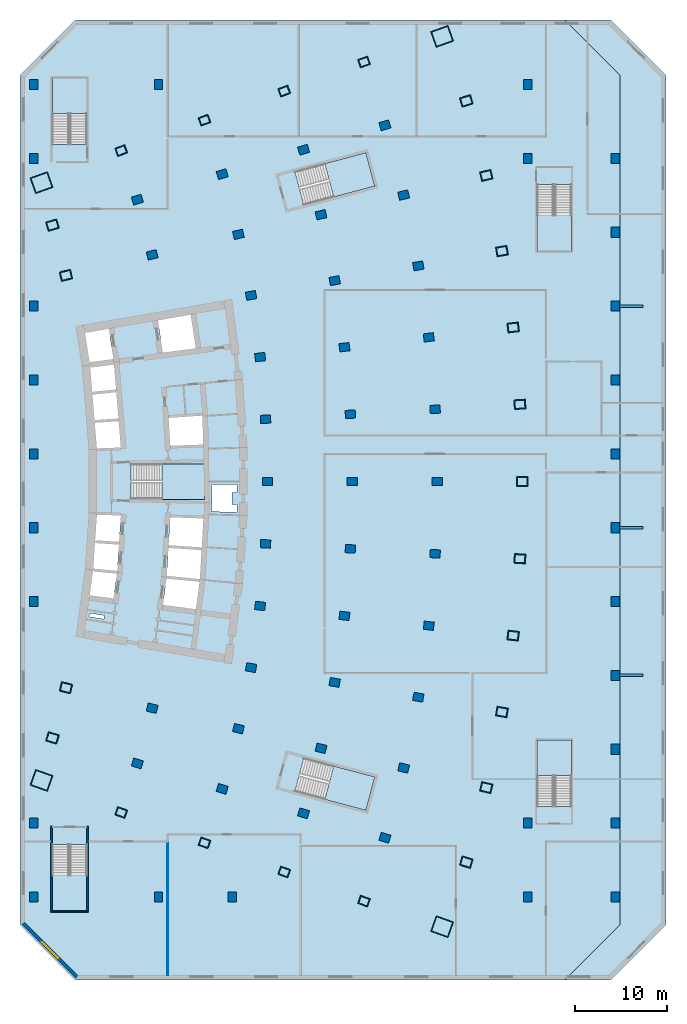
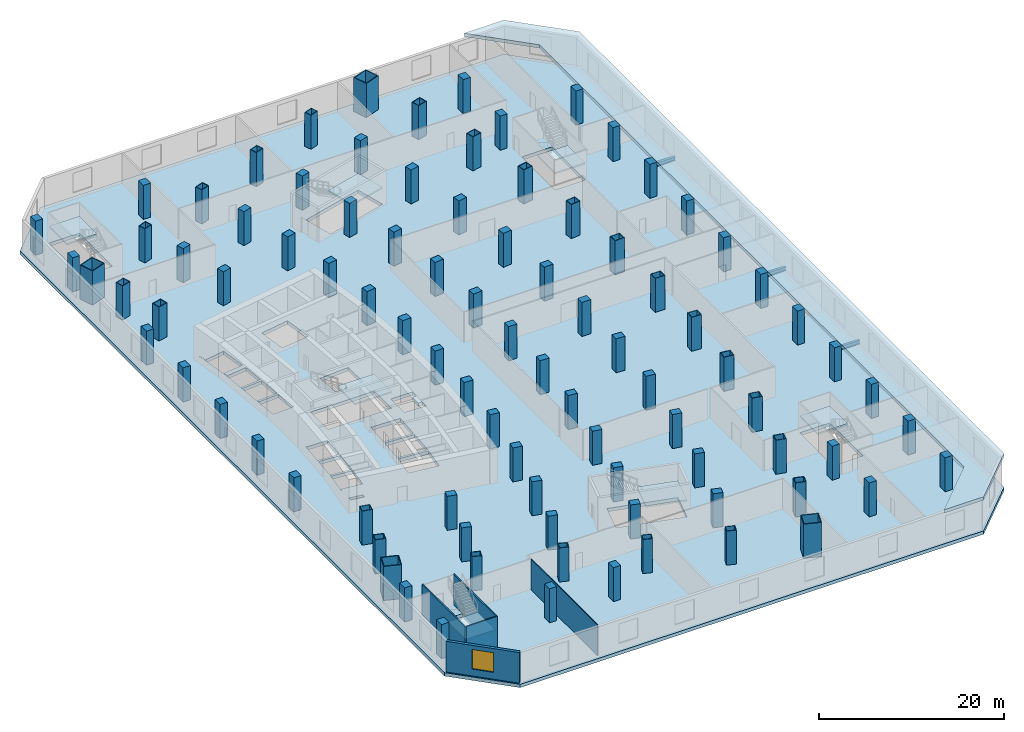
# One storey, part 1 of 16: 91 columns, 9 slabs, 5 walls, 3 beams, 1 window, 1 opening, 7 elements without a shape of their own.
"""IFC4 building model written with IfcOpenShell, lengths in metres."""

from ifc_helpers import new_model, si_unit, direction, frame, frame_2d, origin, origin_2d, place, context, subcontext, project, spatial, polyline, rectangle, hollow_rectangle, i_section, outline, extrude, material, layer, layer_set, material_profile, profile_set, type_object, element, fill, aggregate, save


model = new_model("IFC4")

# Units and contexts
model_context = context("Model", 3, precision=1e-05, world=origin(), true_north=direction((0.0, 1.0)))
body_context = subcontext(model_context, "Body", "Model", "MODEL_VIEW")
ifc_project = project(units=[si_unit("LENGTHUNIT", "METRE"), si_unit("AREAUNIT", "SQUARE_METRE"), si_unit("VOLUMEUNIT", "CUBIC_METRE"), si_unit("PLANEANGLEUNIT", "RADIAN"), si_unit("MASSUNIT", "GRAM", prefix="KILO")], contexts=[model_context])

# Site, building, storey
site_placement = place(None, origin())
site = spatial("IfcSite", under=ifc_project, at=site_placement, CompositionType="ELEMENT")
building_placement = place(site_placement, origin())
building = spatial("IfcBuilding", under=site, at=building_placement, Name="Alderwake Tower", CompositionType="ELEMENT")
storey_placement = place(building_placement, frame((0.0, 0.0, 18.5)))
storey = spatial("IfcBuildingStorey", under=building, at=storey_placement, Name="L03", CompositionType="ELEMENT", Elevation=18.5)

# Columns
ifc_material_1 = material(Name="Steel ASTM A572 Grade 50 concrete filled C70/85", Category="concrete")
ifc_material_profile_1 = material_profile(ifc_material_1, hollow_rectangle(XDim=0.89990234375, YDim=1.10009765625, WallThickness=0.06005859375, at=origin_2d()), Name="BOX 1100X900X60")
ifc_profile_set_1 = profile_set([ifc_material_profile_1], Name="Steel ASTM A572 Grade 50 concrete filled C70/85")
column_type_1 = type_object("IfcColumnType", Name="End column Z1", PredefinedType="COLUMN", material=ifc_profile_set_1)
for number, where, z_axis, x_axis, name in (
    (1, (19.965576171875, 25.1484375, 0.0), (0.0, 0.0, 1.0), (0.337584879279, 0.9412950915, 0.0), "Column R01-C1"),
    (2, (28.983642578125, 21.856689453125, 0.0), (0.0, 0.0, 1.0), (0.338026774049, 0.941136493834, 0.0), "Column R01-C2"),
    (3, (37.6259765625, 18.701904296875, 0.0), (0.0, 0.0, 1.0), (0.338384834858, 0.941007812687, 0.0), "Column R01-C3"),
    (4, (46.268310546875, 15.547119140625, 0.0), (0.0, 0.0, 1.0), (0.338695224082, 0.940896139425, 0.0), "Column R01-C4"),
    (5, (19.965576171875, 96.8515625, 0.0), (0.0, 0.0, 1.0), (-0.337584879279, 0.9412950915, 0.0), "Column R13-C1"),
    (6, (28.983642578125, 100.143310546875, 0.0), (0.0, 0.0, 1.0), (-0.338026774049, 0.941136493834, 0.0), "Column R13-C2"),
    (7, (37.6259765625, 103.298095703125, 0.0), (0.0, 0.0, 1.0), (-0.338384834858, 0.941007812687, 0.0), "Column R13-C3"),
    (8, (46.268310546875, 106.452880859375, 0.0), (0.0, 0.0, 1.0), (-0.338695224082, 0.940896139425, 0.0), "Column R13-C4"),
):
    element("IfcColumn", number, at=place(storey_placement, frame(where, z_axis=z_axis, x_axis=x_axis)), inside=storey, type_object=column_type_1, Name=name, PredefinedType="COLUMN", context=body_context, shape_type="SweptSolid", body=[
        extrude(hollow_rectangle(XDim=0.89990234375, YDim=1.10009765625, WallThickness=0.06005859375, at=origin_2d()), origin(), (0.0, 0.0, 1.0), 4.5),
    ])
ifc_material_2 = material(Name="Concrete C70/85", Category="concrete")
ifc_material_profile_2 = material_profile(ifc_material_2, rectangle(XDim=0.89990234375, YDim=1.10009765625, at=origin_2d()), Name="RC 1100X900")
ifc_profile_set_2 = profile_set([ifc_material_profile_2], Name="Concrete C70/85")
column_type_2 = type_object("IfcColumnType", Name="Interior column Z1", PredefinedType="COLUMN", material=ifc_profile_set_2)
for number, where, z_axis, x_axis, name in (
    (9, (21.714599609375, 30.46240234375, 0.0), (0.0, 0.0, 1.0), (0.287549418125, 0.957765802342, 0.0), "Column R02-C1"),
    (10, (30.9091796875, 27.701904296875, 0.0), (0.0, 0.0, 1.0), (0.287549418125, 0.957765802342, 0.0), "Column R02-C2"),
    (11, (39.720703125, 25.056396484375, 0.0), (0.0, 0.0, 1.0), (0.287549418125, 0.957765802342, 0.0), "Column R02-C3"),
    (12, (48.5322265625, 22.410888671875, 0.0), (0.0, 0.0, 1.0), (0.287549418125, 0.957765802342, 0.0), "Column R02-C4"),
    (13, (23.322021484375, 36.444091796875, 0.0), (0.0, 0.0, 1.0), (0.231221547198, 0.972901123502, 0.0), "Column R03-C1"),
    (14, (32.661865234375, 34.224609375, 0.0), (0.0, 0.0, 1.0), (0.231221547198, 0.972901123502, 0.0), "Column R03-C2"),
    (15, (41.612548828125, 32.097412109375, 0.0), (0.0, 0.0, 1.0), (0.231221547198, 0.972901123502, 0.0), "Column R03-C3"),
    (16, (50.563232421875, 29.969970703125, 0.0), (0.0, 0.0, 1.0), (0.231221547198, 0.972901123502, 0.0), "Column R03-C4"),
    (17, (34.03125, 40.83837890625, 0.0), (0.0, 0.0, 1.0), (0.174108800747, 0.984726421654, 0.0), "Column R04-C2"),
    (18, (43.0908203125, 39.236572265625, 0.0), (0.0, 0.0, 1.0), (0.174108800747, 0.984726421654, 0.0), "Column R04-C3"),
    (19, (52.150390625, 37.634765625, 0.0), (0.0, 0.0, 1.0), (0.174108800747, 0.984726421654, 0.0), "Column R04-C4"),
    (20, (35.0126953125, 47.5205078125, 0.0), (0.0, 0.0, 1.0), (0.116402054316, 0.993202175668, 0.0), "Column R05-C2"),
    (21, (44.150390625, 46.44970703125, 0.0), (0.0, 0.0, 1.0), (0.116402054316, 0.993202175668, 0.0), "Column R05-C3"),
    (22, (53.28759765625, 45.37890625, 0.0), (0.0, 0.0, 1.0), (0.116402054316, 0.993202175668, 0.0), "Column R05-C4"),
    (23, (35.60302734375, 54.248779296875, 0.0), (0.0, 0.0, 1.0), (0.058301061284, 0.998299046505, 0.0), "Column R06-C2"),
    (24, (44.787353515625, 53.71240234375, 0.0), (0.0, 0.0, 1.0), (0.058299318924, 0.998299148258, 0.0), "Column R06-C3"),
    (25, (53.9716796875, 53.176025390625, 0.0), (0.0, 0.0, 1.0), (0.058301061284, 0.998299046505, 0.0), "Column R06-C4"),
    (26, (35.800048828125, 61.0, 0.0), (0.0, 0.0, 1.0), (0.0, 1.0, 0.0), "Column R07-C2"),
    (27, (45.0, 61.0, 0.0), (0.0, 0.0, 1.0), (0.0, 1.0, 0.0), "Column R07-C3"),
    (28, (54.199951171875, 61.0, 0.0), (0.0, 0.0, 1.0), (0.0, 1.0, 0.0), "Column R07-C4"),
    (29, (35.60302734375, 67.751220703125, 0.0), (0.0, 0.0, 1.0), (-0.058301061284, 0.998299046505, 0.0), "Column R08-C2"),
    (30, (44.787353515625, 68.28759765625, 0.0), (0.0, 0.0, 1.0), (-0.058299318924, 0.998299148258, 0.0), "Column R08-C3"),
    (31, (53.9716796875, 68.823974609375, 0.0), (0.0, 0.0, 1.0), (-0.058301061284, 0.998299046505, 0.0), "Column R08-C4"),
    (32, (35.0126953125, 74.4794921875, 0.0), (0.0, 0.0, 1.0), (-0.116402054316, 0.993202175668, 0.0), "Column R09-C2"),
    (33, (44.150390625, 75.55029296875, 0.0), (0.0, 0.0, 1.0), (-0.116402054316, 0.993202175668, 0.0), "Column R09-C3"),
    (34, (53.28759765625, 76.62109375, 0.0), (0.0, 0.0, 1.0), (-0.116402054316, 0.993202175668, 0.0), "Column R09-C4"),
    (35, (34.03125, 81.16162109375, 0.0), (0.0, 0.0, 1.0), (-0.174108800747, 0.984726421654, 0.0), "Column R10-C2"),
    (36, (43.0908203125, 82.763427734375, 0.0), (0.0, 0.0, 1.0), (-0.174108800747, 0.984726421654, 0.0), "Column R10-C3"),
    (37, (52.150390625, 84.365234375, 0.0), (0.0, 0.0, 1.0), (-0.174108800747, 0.984726421654, 0.0), "Column R10-C4"),
    (38, (23.322021484375, 85.555908203125, 0.0), (0.0, 0.0, 1.0), (-0.231221547198, 0.972901123502, 0.0), "Column R11-C1"),
    (39, (32.661865234375, 87.775390625, 0.0), (0.0, 0.0, 1.0), (-0.231221547198, 0.972901123502, 0.0), "Column R11-C2"),
    (40, (41.612548828125, 89.902587890625, 0.0), (0.0, 0.0, 1.0), (-0.231221547198, 0.972901123502, 0.0), "Column R11-C3"),
    (41, (50.563232421875, 92.030029296875, 0.0), (0.0, 0.0, 1.0), (-0.231221547198, 0.972901123502, 0.0), "Column R11-C4"),
    (42, (21.714599609375, 91.53759765625, 0.0), (0.0, 0.0, 1.0), (-0.287549418125, 0.957765802342, 0.0), "Column R12-C1"),
    (43, (30.9091796875, 94.298095703125, 0.0), (0.0, 0.0, 1.0), (-0.287549418125, 0.957765802342, 0.0), "Column R12-C2"),
    (44, (39.720703125, 96.943603515625, 0.0), (0.0, 0.0, 1.0), (-0.287549418125, 0.957765802342, 0.0), "Column R12-C3"),
    (45, (48.5322265625, 99.589111328125, 0.0), (0.0, 0.0, 1.0), (-0.287549418125, 0.957765802342, 0.0), "Column R12-C4"),
):
    element("IfcColumn", number, at=place(storey_placement, frame(where, z_axis=z_axis, x_axis=x_axis)), inside=storey, type_object=column_type_2, Name=name, PredefinedType="COLUMN", context=body_context, shape_type="SweptSolid", body=[
        extrude(rectangle(XDim=0.89990234375, YDim=1.10009765625, at=origin_2d()), origin(), (0.0, 0.0, 1.0), 4.5),
    ])
ifc_material_3 = material(Name="Steel ASTM A572 Grade 50 concrete filled C70/85", Category="concrete")
ifc_material_profile_3 = material_profile(ifc_material_3, hollow_rectangle(XDim=1.800048828125, YDim=2.0, WallThickness=0.090087890625, at=origin_2d()), Name="BOX 2000X1800X90")
ifc_profile_set_3 = profile_set([ifc_material_profile_3], Name="Steel ASTM A572 Grade 50 concrete filled C70/85")
column_type_3 = type_object("IfcColumnType", Name="Mega column Z1", PredefinedType="COLUMN", material=ifc_profile_set_3)
for number, where, z_axis, x_axis, name in (
    (46, (11.330810546875, 28.622802734375, 0.0), (0.0, 0.0, 1.0), (0.334130947791, 0.942526662609, 0.0), "Column R01-C0"),
    (47, (54.7294921875, 12.77587890625, 0.0), (0.0, 0.0, 1.0), (0.336995022772, 0.941506428351, 0.0), "Column R01-C5"),
    (48, (11.330810546875, 93.377197265625, 0.0), (0.0, 0.0, 1.0), (-0.334130947791, 0.942526662609, 0.0), "Column R13-C0"),
    (49, (54.7294921875, 109.22412109375, 0.0), (0.0, 0.0, 1.0), (-0.336995022772, 0.941506428351, 0.0), "Column R13-C5"),
):
    element("IfcColumn", number, at=place(storey_placement, frame(where, z_axis=z_axis, x_axis=x_axis)), inside=storey, type_object=column_type_3, Name=name, PredefinedType="COLUMN", context=body_context, shape_type="SweptSolid", body=[
        extrude(hollow_rectangle(XDim=1.800048828125, YDim=2.0, WallThickness=0.090087890625, at=origin_2d()), origin(), (0.0, 0.0, 1.0), 4.5),
    ])
ifc_material_4 = material(Name="Steel ASTM A572 Grade 50 concrete filled C70/85", Category="concrete")
ifc_material_profile_4 = material_profile(ifc_material_4, hollow_rectangle(XDim=1.0, YDim=1.199951171875, WallThickness=0.06005859375, at=origin_2d()), Name="BOX 1200X1000X60")
ifc_profile_set_4 = profile_set([ifc_material_profile_4], Name="Steel ASTM A572 Grade 50 concrete filled C70/85")
column_type_4 = type_object("IfcColumnType", Name="Perimeter column Z1", PredefinedType="COLUMN", material=ifc_profile_set_4)
for number, where, z_axis, x_axis, name in (
    (50, (12.520263671875, 33.222900390625, 0.0), (0.0, 0.0, 1.0), (0.287549418125, 0.957765802342, 0.0), "Column R02-C0"),
    (51, (57.343505859375, 19.765380859375, 0.0), (0.0, 0.0, 1.0), (0.287549418125, 0.957765802342, 0.0), "Column R02-C5"),
    (52, (13.982177734375, 38.6640625, 0.0), (0.0, 0.0, 1.0), (0.231221547198, 0.972901123502, 0.0), "Column R03-C0"),
    (53, (59.513916015625, 27.8427734375, 0.0), (0.0, 0.0, 1.0), (0.231221547198, 0.972901123502, 0.0), "Column R03-C5"),
    (54, (61.209716796875, 36.032958984375, 0.0), (0.0, 0.0, 1.0), (0.174108800747, 0.984726421654, 0.0), "Column R04-C5"),
    (55, (62.42529296875, 44.307861328125, 0.0), (0.0, 0.0, 1.0), (0.116402054316, 0.993202175668, 0.0), "Column R05-C5"),
    (56, (63.156005859375, 52.6396484375, 0.0), (0.0, 0.0, 1.0), (0.058301061284, 0.998299046505, 0.0), "Column R06-C5"),
    (57, (63.39990234375, 61.0, 0.0), (0.0, 0.0, 1.0), (0.0, 1.0, 0.0), "Column R07-C5"),
    (58, (63.156005859375, 69.3603515625, 0.0), (0.0, 0.0, 1.0), (-0.058301061284, 0.998299046505, 0.0), "Column R08-C5"),
    (59, (62.42529296875, 77.692138671875, 0.0), (0.0, 0.0, 1.0), (-0.116402054316, 0.993202175668, 0.0), "Column R09-C5"),
    (60, (61.209716796875, 85.967041015625, 0.0), (0.0, 0.0, 1.0), (-0.174108800747, 0.984726421654, 0.0), "Column R10-C5"),
    (61, (13.982177734375, 83.3359375, 0.0), (0.0, 0.0, 1.0), (-0.231221547198, 0.972901123502, 0.0), "Column R11-C0"),
    (62, (59.513916015625, 94.1572265625, 0.0), (0.0, 0.0, 1.0), (-0.231221547198, 0.972901123502, 0.0), "Column R11-C5"),
    (63, (12.520263671875, 88.777099609375, 0.0), (0.0, 0.0, 1.0), (-0.287549418125, 0.957765802342, 0.0), "Column R12-C0"),
    (64, (57.343505859375, 102.234619140625, 0.0), (0.0, 0.0, 1.0), (-0.287549418125, 0.957765802342, 0.0), "Column R12-C5"),
):
    element("IfcColumn", number, at=place(storey_placement, frame(where, z_axis=z_axis, x_axis=x_axis)), inside=storey, type_object=column_type_4, Name=name, PredefinedType="COLUMN", context=body_context, shape_type="SweptSolid", body=[
        extrude(hollow_rectangle(XDim=1.0, YDim=1.199951171875, WallThickness=0.06005859375, at=origin_2d()), origin(), (0.0, 0.0, 1.0), 4.5),
    ])
ifc_material_5 = material(Name="Concrete C70/85", Category="concrete")
ifc_material_profile_5 = material_profile(ifc_material_5, rectangle(XDim=0.89990234375, YDim=1.10009765625, at=origin_2d()), Name="RC 1100X900")
ifc_profile_set_5 = profile_set([ifc_material_profile_5], Name="Concrete C70/85")
column_type_5 = type_object("IfcColumnType", Name="Podium column", PredefinedType="COLUMN", material=ifc_profile_set_5)
for number, where, z_axis, x_axis, name in (
    (65, (10.5, 16.0, 0.0), (0.0, 0.0, 1.0), (1.0, 0.0, 0.0), "Column XW-YC"),
    (66, (10.5, 24.0, 0.0), (0.0, 0.0, 1.0), (1.0, 0.0, 0.0), "Column XW-YD"),
    (67, (10.5, 48.0, 0.0), (0.0, 0.0, 1.0), (1.0, 0.0, 0.0), "Column XW-YG"),
    (68, (10.5, 56.0, 0.0), (0.0, 0.0, 1.0), (1.0, 0.0, 0.0), "Column XW-YH"),
    (69, (10.5, 64.0, 0.0), (0.0, 0.0, 1.0), (1.0, 0.0, 0.0), "Column XW-YI"),
    (70, (10.5, 72.0, 0.0), (0.0, 0.0, 1.0), (1.0, 0.0, 0.0), "Column XW-YJ"),
    (71, (10.5, 80.0, 0.0), (0.0, 0.0, 1.0), (1.0, 0.0, 0.0), "Column XW-YK"),
    (72, (10.5, 96.0, 0.0), (0.0, 0.0, 1.0), (1.0, 0.0, 0.0), "Column XW-YM"),
    (73, (10.5, 104.0, 0.0), (0.0, 0.0, 1.0), (1.0, 0.0, 0.0), "Column XW-YN"),
    (74, (24.0, 16.0, 0.0), (0.0, 0.0, 1.0), (1.0, 0.0, 0.0), "Column X04-YC"),
    (75, (24.0, 104.0, 0.0), (0.0, 0.0, 1.0), (1.0, 0.0, 0.0), "Column X04-YN"),
    (76, (32.0, 16.0, 0.0), (0.0, 0.0, 1.0), (1.0, 0.0, 0.0), "Column X05-YC"),
    (77, (64.0, 16.0, 0.0), (0.0, 0.0, 1.0), (1.0, 0.0, 0.0), "Column X09-YC"),
    (78, (64.0, 24.0, 0.0), (0.0, 0.0, 1.0), (1.0, 0.0, 0.0), "Column X09-YD"),
    (79, (64.0, 96.0, 0.0), (0.0, 0.0, 1.0), (1.0, 0.0, 0.0), "Column X09-YM"),
    (80, (64.0, 104.0, 0.0), (0.0, 0.0, 1.0), (1.0, 0.0, 0.0), "Column X09-YN"),
    (81, (73.5, 16.0, 0.0), (0.0, 0.0, 1.0), (1.0, 0.0, 0.0), "Column XS1-YC"),
    (82, (73.5, 24.0, 0.0), (0.0, 0.0, 1.0), (1.0, 0.0, 0.0), "Column XS1-YD"),
    (83, (73.5, 32.0, 0.0), (0.0, 0.0, 1.0), (1.0, 0.0, 0.0), "Column XS1-YE"),
    (84, (73.5, 40.0, 0.0), (0.0, 0.0, 1.0), (1.0, 0.0, 0.0), "Column XS1-YF"),
    (85, (73.5, 48.0, 0.0), (0.0, 0.0, 1.0), (1.0, 0.0, 0.0), "Column XS1-YG"),
    (86, (73.5, 56.0, 0.0), (0.0, 0.0, 1.0), (1.0, 0.0, 0.0), "Column XS1-YH"),
    (87, (73.5, 64.0, 0.0), (0.0, 0.0, 1.0), (1.0, 0.0, 0.0), "Column XS1-YI"),
    (88, (73.5, 72.0, 0.0), (0.0, 0.0, 1.0), (1.0, 0.0, 0.0), "Column XS1-YJ"),
    (89, (73.5, 80.0, 0.0), (0.0, 0.0, 1.0), (1.0, 0.0, 0.0), "Column XS1-YK"),
    (90, (73.5, 88.0, 0.0), (0.0, 0.0, 1.0), (1.0, 0.0, 0.0), "Column XS1-YL"),
    (91, (73.5, 96.0, 0.0), (0.0, 0.0, 1.0), (1.0, 0.0, 0.0), "Column XS1-YM"),
):
    element("IfcColumn", number, at=place(storey_placement, frame(where, z_axis=z_axis, x_axis=x_axis)), inside=storey, type_object=column_type_5, Name=name, PredefinedType="COLUMN", context=body_context, shape_type="SweptSolid", body=[
        extrude(rectangle(XDim=0.89990234375, YDim=1.10009765625, at=origin_2d()), origin(), (0.0, 0.0, 1.0), 4.5),
    ])

# Beams
ifc_material_6 = material(Name="Steel ASTM A992 Grade 50", Category="steel")
ifc_material_profile_6 = material_profile(ifc_material_6, i_section(OverallWidth=0.283203125, OverallDepth=0.47216796875, WebThickness=0.013671875, FlangeThickness=0.022216796875, at=origin_2d()), Name="W18X97")
ifc_profile_set_6 = profile_set([ifc_material_profile_6], Name="Steel ASTM A992 Grade 50")
beam_type = type_object("IfcBeamType", Name="Roof edge beam W18X97", PredefinedType="BEAM", material=ifc_profile_set_6)
for number, where, z_axis, x_axis, name in (
    (92, (73.5, 40.0, 3.81396484375), (1.0, 0.0, 0.0), (0.0, 1.0, 0.0), "Roof edge beam RB.L03.1"),
    (93, (73.5, 56.0, 3.81396484375), (1.0, 0.0, 0.0), (0.0, 1.0, 0.0), "Roof edge beam RB.L03.2"),
    (94, (73.5, 80.0, 3.81396484375), (1.0, 0.0, 0.0), (0.0, 1.0, 0.0), "Roof edge beam RB.L03.3"),
):
    element("IfcBeam", number, at=place(storey_placement, frame(where, z_axis=z_axis, x_axis=x_axis)), inside=storey, type_object=beam_type, Name=name, PredefinedType="BEAM", context=body_context, shape_type="SweptSolid", body=[
        extrude(i_section(OverallWidth=0.283203125, OverallDepth=0.47216796875, WebThickness=0.013671875, FlangeThickness=0.022216796875, at=origin_2d()), origin(), (0.0, 0.0, 1.0), 3.0),
    ])

# Slabs
ifc_material_7 = material(Name="Concrete C50/60", Category="concrete")
ifc_layer_1 = layer(ifc_material_7, 0.449951171875)
ifc_layer_set_1 = layer_set([ifc_layer_1], Name="Concrete C50/60 post-tensioned flat plate 450")
slab_type_1 = type_object("IfcSlabType", Name="Concrete C50/60 post-tensioned flat plate 450", PredefinedType="FLOOR", material=ifc_layer_set_1)
slab_1_placement = place(storey_placement, frame((0.0, 0.0, -0.449951171875)))
element("IfcSlab", 95, at=slab_1_placement, inside=storey, type_object=slab_type_1, Name="Floor slab L03", PredefinedType="FLOOR", context=body_context, shape_type="SweptSolid", body=[
    extrude(outline(polyline([(9.0, 105.0), (15.0, 111.0), (73.0, 111.0), (79.0, 105.0), (79.0, 13.0), (73.0, 7.0), (15.0, 7.0), (9.0, 13.0), (9.0, 105.0)]), holes=[polyline([(16.25, 14.5), (16.25, 21.68994140625), (12.5, 21.68994140625), (12.5, 14.5), (16.25, 14.5)]), polyline([(16.943359375, 51.26953125), (16.9580078125, 51.4189453125), (16.972900390625, 51.568115234375), (19.525146484375, 51.31591796875), (19.71630859375, 54.164794921875), (17.153564453125, 54.33642578125), (17.16357421875, 54.486083984375), (17.173583984375, 54.6357421875), (19.736083984375, 54.464111328125), (19.92724609375, 57.312744140625), (17.364013671875, 57.403564453125), (17.369140625, 57.553466796875), (17.33935546875, 57.554443359375), (17.1337890625, 54.48828125), (16.927978515625, 51.421875), (16.92822265625, 51.421875), (16.50927734375, 48.377197265625), (16.5390625, 48.373291015625), (16.577880859375, 48.6708984375), (19.138671875, 48.3359375), (19.495361328125, 51.017333984375), (16.943359375, 51.26953125)]), polyline([(29.0, 62.875), (21.050048828125, 62.875), (21.050048828125, 59.125), (29.0, 59.125), (29.0, 62.875)]), polyline([(19.688720703125, 67.53271484375), (17.12548828125, 67.361083984375), (17.115478515625, 67.510498046875), (17.10546875, 67.660400390625), (19.6640625, 67.831787109375), (19.42822265625, 70.674560546875), (16.87646484375, 70.42236328125), (16.86181640625, 70.571533203125), (16.846923828125, 70.720947265625), (19.403564453125, 70.973388671875), (19.179931640625, 73.66943359375), (16.646484375, 73.338134765625), (16.607666015625, 73.635498046875), (16.56884765625, 73.93310546875), (19.111083984375, 74.265625), (18.6240234375, 77.531982421875), (18.919921875, 77.575927734375), (18.916748046875, 77.593994140625), (16.082275390625, 77.10546875), (15.9345703125, 77.9619140625), (15.634765625, 77.908935546875), (15.63525390625, 77.9052734375), (15.9140625, 77.9482421875), (16.57763671875, 73.631591796875), (16.578369140625, 73.626220703125), (16.831787109375, 70.568603515625), (17.085693359375, 67.508544921875), (17.33935546875, 64.4482421875), (17.33935546875, 64.445556640625), (17.369384765625, 64.446533203125), (17.364013671875, 64.596435546875), (19.9248046875, 64.687255859375), (19.688720703125, 67.53271484375)]), polyline([(12.5, 104.699951171875), (12.5, 97.510009765625), (16.25, 97.510009765625), (16.25, 104.699951171875), (12.5, 104.699951171875)]), polyline([(47.436279296875, 28.996826171875), (39.754150390625, 31.043212890625), (38.7890625, 27.41943359375), (46.47119140625, 25.373291015625), (47.436279296875, 28.996826171875)]), polyline([(65.0, 33.0), (65.0, 25.81005859375), (68.75, 25.81005859375), (68.75, 33.0), (65.0, 33.0)]), polyline([(28.4482421875, 50.1328125), (24.87451171875, 50.48583984375), (24.878662109375, 50.52783203125), (24.875, 50.5283203125), (24.48974609375, 47.635986328125), (28.05419921875, 47.169921875), (28.4482421875, 50.1328125)]), polyline([(28.669921875, 53.564453125), (25.080810546875, 53.804931640625), (24.89501953125, 50.731201171875), (24.898681640625, 50.730712890625), (24.904052734375, 50.784423828125), (28.484375, 50.4306640625), (28.669921875, 53.564453125)]), polyline([(28.873291015625, 56.99609375), (25.281494140625, 57.123291015625), (25.09912109375, 54.1044921875), (28.687744140625, 53.864013671875), (28.873291015625, 56.99609375)]), polyline([(28.769287109375, 68.0869140625), (28.764892578125, 68.141357421875), (25.101318359375, 67.895751953125), (25.2822265625, 64.876708984375), (28.83740234375, 65.002685546875), (28.769287109375, 68.0869140625)]), polyline([(27.490966796875, 79.072021484375), (23.932373046875, 78.45849609375), (23.93310546875, 78.454833984375), (23.9443359375, 78.45654296875), (24.4697265625, 74.972412109375), (24.36474609375, 74.95654296875), (24.365478515625, 74.952880859375), (28.0400390625, 75.433349609375), (27.490966796875, 79.072021484375)]), polyline([(65.0, 86.0), (68.75, 86.0), (68.75, 93.18994140625), (65.0, 93.18994140625), (65.0, 86.0)]), polyline([(47.436279296875, 93.003173828125), (46.47119140625, 96.626708984375), (38.7890625, 94.58056640625), (39.754150390625, 90.956787109375), (47.436279296875, 93.003173828125)]), polyline([(18.137451171875, 46.497314453125), (16.534912109375, 46.728759765625), (16.4833984375, 46.355712890625), (18.08544921875, 46.10693359375), (18.137451171875, 46.497314453125)]), polyline([(29.769775390625, 57.7548828125), (32.489990234375, 57.66650390625), (32.489990234375, 58.509033203125), (31.989990234375, 58.509033203125), (31.989990234375, 59.80908203125), (32.489990234375, 59.80908203125), (32.489990234375, 60.675048828125), (29.783447265625, 60.675048828125), (29.826416015625, 58.727294921875), (29.769775390625, 57.7548828125)])]), origin(), (0.0, 0.0, 1.0), 0.449951171875),
])
ifc_material_8 = material(Name="Concrete C50/60", Category="concrete")
ifc_layer_2 = layer(ifc_material_8, 0.449951171875)
ifc_layer_set_2 = layer_set([ifc_layer_2], Name="Concrete C50/60 roof slab 450")
slab_type_2 = type_object("IfcSlabType", Name="Concrete C50/60 roof slab 450", PredefinedType="ROOF", material=ifc_layer_set_2)
slab_2_placement = place(storey_placement, frame((0.0, 0.0, 4.050048828125)))
element("IfcSlab", 96, at=slab_2_placement, inside=storey, type_object=slab_type_2, Name="Roof slab L03 1", PredefinedType="ROOF", context=body_context, shape_type="SweptSolid", body=[
    extrude(outline(polyline([(79.0, 105.0), (79.0, 13.0), (73.0, 7.0), (68.0, 7.0), (74.0, 13.0), (74.0, 105.0), (68.0, 111.0), (73.0, 111.0), (79.0, 105.0)])), origin(), (0.0, 0.0, 1.0), 0.449951171875),
])

# Stair, slab
ifc_material_9 = material(Name="Concrete C40/50", Category="concrete")
stair_type_1 = type_object("IfcStairType", Name="Core exit stair", PredefinedType="HALF_TURN_STAIR", material=ifc_material_9)
stair_1_placement = place(storey_placement, origin())
stair_1 = element("IfcStair", 97, at=stair_1_placement, inside=storey, type_object=stair_type_1, Name="L03 Exit Stair B", PredefinedType="HALF_TURN_STAIR")
ifc_material_10 = material(Name="Concrete C40/50", Category="concrete")
ifc_layer_3 = layer(ifc_material_10, 0.199951171875)
ifc_layer_set_3 = layer_set([ifc_layer_3], Name="Core stair landing 200")
slab_type_3 = type_object("IfcSlabType", Name="Core stair landing 200", PredefinedType="LANDING", material=ifc_layer_set_3)
slab_3_placement = place(storey_placement, frame((0.0, 0.0, 2.050048828125)))
slab_3 = element("IfcSlab", 98, at=slab_3_placement, type_object=slab_type_3, Name="ST-B landing 1", PredefinedType="LANDING", context=body_context, shape_type="SweptSolid", body=[
    extrude(outline(polyline([(24.389892578125, 59.074951171875), (29.0, 59.074951171875), (29.0, 62.925048828125), (24.389892578125, 62.925048828125), (24.389892578125, 59.074951171875)])), origin(), (0.0, 0.0, 1.0), 0.199951171875),
])
aggregate(stair_1, [slab_3])

stair_2_placement = place(storey_placement, origin())
stair_2 = element("IfcStair", 99, at=stair_2_placement, inside=storey, type_object=stair_type_1, Name="L03 Exit Stair A", PredefinedType="HALF_TURN_STAIR")
slab_4_placement = place(storey_placement, frame((0.0, 0.0, 2.050048828125)))
slab_4 = element("IfcSlab", 100, at=slab_4_placement, type_object=slab_type_3, Name="ST-A landing 1", PredefinedType="LANDING", context=body_context, shape_type="SweptSolid", body=[
    extrude(outline(polyline([(42.981689453125, 91.81640625), (47.436279296875, 93.003173828125), (46.47119140625, 96.626708984375), (42.0166015625, 95.440185546875), (42.981689453125, 91.81640625)])), origin(), (0.0, 0.0, 1.0), 0.199951171875),
])
aggregate(stair_2, [slab_4])

stair_3_placement = place(storey_placement, origin())
stair_3 = element("IfcStair", 101, at=stair_3_placement, inside=storey, type_object=stair_type_1, Name="L03 Exit Stair C", PredefinedType="HALF_TURN_STAIR")
slab_5_placement = place(storey_placement, frame((0.0, 0.0, 2.050048828125)))
slab_5 = element("IfcSlab", 102, at=slab_5_placement, type_object=slab_type_3, Name="ST-C landing 1", PredefinedType="LANDING", context=body_context, shape_type="SweptSolid", body=[
    extrude(outline(polyline([(42.0166015625, 26.559814453125), (46.47119140625, 25.373291015625), (47.436279296875, 28.996826171875), (42.981689453125, 30.183349609375), (42.0166015625, 26.559814453125)])), origin(), (0.0, 0.0, 1.0), 0.199951171875),
])
aggregate(stair_3, [slab_5])

ifc_material_11 = material(Name="Concrete C40/50", Category="concrete")
stair_type_2 = type_object("IfcStairType", Name="Exit stair 1800 half-turn", PredefinedType="HALF_TURN_STAIR", material=ifc_material_11)
stair_4_placement = place(storey_placement, origin())
stair_4 = element("IfcStair", 103, at=stair_4_placement, inside=storey, type_object=stair_type_2, Name="L03 Podium stair P1", PredefinedType="HALF_TURN_STAIR")
slab_6_placement = place(storey_placement, frame((0.0, 0.0, 2.050048828125)))
slab_6 = element("IfcSlab", 104, at=slab_6_placement, type_object=slab_type_3, Name="ST-P1 landing 1", PredefinedType="LANDING", context=body_context, shape_type="SweptSolid", body=[
    extrude(outline(polyline([(12.5, 18.35009765625), (12.5, 14.5), (16.25, 14.5), (16.25, 18.35009765625), (12.5, 18.35009765625)])), origin(), (0.0, 0.0, 1.0), 0.199951171875),
])
aggregate(stair_4, [slab_6])

stair_5_placement = place(storey_placement, origin())
stair_5 = element("IfcStair", 105, at=stair_5_placement, inside=storey, type_object=stair_type_2, Name="L03 Podium stair P2", PredefinedType="HALF_TURN_STAIR")
slab_7_placement = place(storey_placement, frame((0.0, 0.0, 2.050048828125)))
slab_7 = element("IfcSlab", 106, at=slab_7_placement, type_object=slab_type_3, Name="ST-P2 landing 1", PredefinedType="LANDING", context=body_context, shape_type="SweptSolid", body=[
    extrude(outline(polyline([(16.25, 100.85009765625), (16.25, 104.699951171875), (12.5, 104.699951171875), (12.5, 100.85009765625), (16.25, 100.85009765625)])), origin(), (0.0, 0.0, 1.0), 0.199951171875),
])
aggregate(stair_5, [slab_7])

stair_6_placement = place(storey_placement, origin())
stair_6 = element("IfcStair", 107, at=stair_6_placement, inside=storey, type_object=stair_type_2, Name="L03 Podium stair P3", PredefinedType="HALF_TURN_STAIR")
slab_8_placement = place(storey_placement, frame((0.0, 0.0, 2.050048828125)))
slab_8 = element("IfcSlab", 108, at=slab_8_placement, type_object=slab_type_3, Name="ST-P3 landing 1", PredefinedType="LANDING", context=body_context, shape_type="SweptSolid", body=[
    extrude(outline(polyline([(65.0, 89.85009765625), (65.0, 86.0), (68.75, 86.0), (68.75, 89.85009765625), (65.0, 89.85009765625)])), origin(), (0.0, 0.0, 1.0), 0.199951171875),
])
aggregate(stair_6, [slab_8])

stair_7_placement = place(storey_placement, origin())
stair_7 = element("IfcStair", 109, at=stair_7_placement, inside=storey, type_object=stair_type_2, Name="L03 Podium stair P4", PredefinedType="HALF_TURN_STAIR")
slab_9_placement = place(storey_placement, frame((0.0, 0.0, 2.050048828125)))
slab_9 = element("IfcSlab", 110, at=slab_9_placement, type_object=slab_type_3, Name="ST-P4 landing 1", PredefinedType="LANDING", context=body_context, shape_type="SweptSolid", body=[
    extrude(outline(polyline([(68.75, 29.14990234375), (68.75, 33.0), (65.0, 33.0), (65.0, 29.14990234375), (68.75, 29.14990234375)])), origin(), (0.0, 0.0, 1.0), 0.199951171875),
])
aggregate(stair_7, [slab_9])

# Wall, opening, window
ifc_material_12 = material(Name="Precast concrete C50/60 spandrel panel", Category="concrete")
ifc_layer_4 = layer(ifc_material_12, 0.35009765625)
ifc_layer_set_4 = layer_set([ifc_layer_4], Name="External wall EW4 Precast concrete C50/60 podium")
wall_type_1 = type_object("IfcWallType", Name="External wall EW4 Precast concrete C50/60 podium", PredefinedType="SOLIDWALL", material=ifc_layer_set_4)
wall_1_placement = place(storey_placement, frame((9.35009765625, 13.14501953125, 0.0), z_axis=(0.0, 0.0, 1.0), x_axis=(0.707091913039, -0.707121649021, 0.0)))
wall_1 = element("IfcWall", 111, at=wall_1_placement, inside=storey, type_object=wall_type_1, Name="External wall 8", PredefinedType="SOLIDWALL", context=body_context, shape_type="SweptSolid", body=[
    extrude(rectangle(XDim=8.210205078125, YDim=0.35009765625, at=frame_2d((4.10498046875, 0.0))), origin(), (0.0, 0.0, 1.0), 4.050048828125),
])
opening_placement = place(wall_1_placement, frame((2.9052734375, 0.0, 0.89990234375)))
opening = element("IfcOpeningElement", 112, at=opening_placement, cuts=wall_1, Name="Opening W6", PredefinedType="OPENING", context=body_context, shape_type="SweptSolid", body=[
    extrude(rectangle(XDim=2.39990234375, YDim=2.60009765625, at=frame_2d((1.199951171875, 1.300048828125))), frame((0.0, 0.18505859375, 0.0), z_axis=(0.0, -1.0, 0.0), x_axis=(1.0, 0.0, 0.0)), (0.0, 0.0, 1.0), 0.3701171875),
])
ifc_material_13 = material(Name="Bronze tinted glass in aluminium frame", Category="aluminium")
window_type = type_object("IfcWindowType", Name="Window W6 podium", PartitioningType="DOUBLE_PANEL_VERTICAL", PredefinedType="WINDOW", material=ifc_material_13)
window_placement = place(opening_placement, origin())
window = element("IfcWindow", 113, at=window_placement, inside=storey, type_object=window_type, Name="Window W6 podium", OverallHeight=2.60009765625, OverallWidth=2.39990234375, PartitioningType="DOUBLE_PANEL_VERTICAL", PredefinedType="WINDOW", context=body_context, shape_type="SweptSolid", body=[
    extrude(rectangle(XDim=2.39990234375, YDim=2.60009765625, at=frame_2d((1.199951171875, 1.300048828125))), frame((0.0, 0.030029296875, 0.0), z_axis=(0.0, -1.0, 0.0), x_axis=(1.0, 0.0, 0.0)), (0.0, 0.0, 1.0), 0.06005859375),
])
fill(opening, window)

# Walls
ifc_material_14 = material(Name="Concrete C40/50", Category="concrete")
ifc_layer_5 = layer(ifc_material_14, 0.14990234375)
ifc_layer_set_5 = layer_set([ifc_layer_5], Name="Stair shaft wall 150 C40/50")
wall_type_2 = type_object("IfcWallType", Name="Stair shaft wall 150 C40/50", PredefinedType="SHEAR", material=ifc_layer_set_5)
wall_2_placement = place(storey_placement, frame((12.426025390625, 14.34912109375, 0.0), z_axis=(0.0, 0.0, 1.0), x_axis=(0.0, 1.0, 0.0)))
element("IfcWall", 114, at=wall_2_placement, inside=storey, type_object=wall_type_2, Name="WL/L03/W09", PredefinedType="SHEAR", context=body_context, shape_type="SweptSolid", body=[
    extrude(rectangle(XDim=9.2998046875, YDim=0.14990234375, at=frame_2d((4.64990234375, 0.0))), origin(), (0.0, 0.0, 1.0), 4.050048828125),
])
wall_3_placement = place(storey_placement, frame((12.5009765625, 14.424072265625, 0.0), z_axis=(0.0, 0.0, 1.0), x_axis=(1.0, 0.0, 0.0)))
element("IfcWall", 115, at=wall_3_placement, inside=storey, type_object=wall_type_2, Name="WL/L03/W10", PredefinedType="SHEAR", context=body_context, shape_type="SweptSolid", body=[
    extrude(rectangle(XDim=3.89990234375, YDim=0.14990234375, at=frame_2d((1.949951171875, 0.0))), origin(), (0.0, 0.0, 1.0), 4.050048828125),
])
wall_4_placement = place(storey_placement, frame((16.325927734375, 14.4990234375, 0.0), z_axis=(0.0, 0.0, 1.0), x_axis=(0.0, 1.0, 0.0)))
element("IfcWall", 116, at=wall_4_placement, inside=storey, type_object=wall_type_2, Name="WL/L03/W13", PredefinedType="SHEAR", context=body_context, shape_type="SweptSolid", body=[
    extrude(rectangle(XDim=9.14990234375, YDim=0.14990234375, at=frame_2d((4.574951171875, 0.0))), origin(), (0.0, 0.0, 1.0), 4.050048828125),
])
ifc_material_15 = material(Name="Gypsum board on metal studs")
ifc_layer_6 = layer(ifc_material_15, 0.10009765625)
ifc_layer_set_6 = layer_set([ifc_layer_6], Name="Unit partition 100")
wall_type_3 = type_object("IfcWallType", Name="Unit partition 100", PredefinedType="PARTITIONING", material=ifc_layer_set_6)
wall_5_placement = place(storey_placement, frame((24.9990234375, 7.5, 0.0), z_axis=(0.0, 0.0, 1.0), x_axis=(0.0, 1.0, 0.0)))
element("IfcWall", 117, at=wall_5_placement, inside=storey, type_object=wall_type_3, Name="WL/L03/W59", PredefinedType="PARTITIONING", context=body_context, shape_type="SweptSolid", body=[
    extrude(rectangle(XDim=14.4189453125, YDim=0.10009765625, at=frame_2d((7.20947265625, 0.0))), origin(), (0.0, 0.0, 1.0), 4.050048828125),
])

save(model, "model.ifc")
